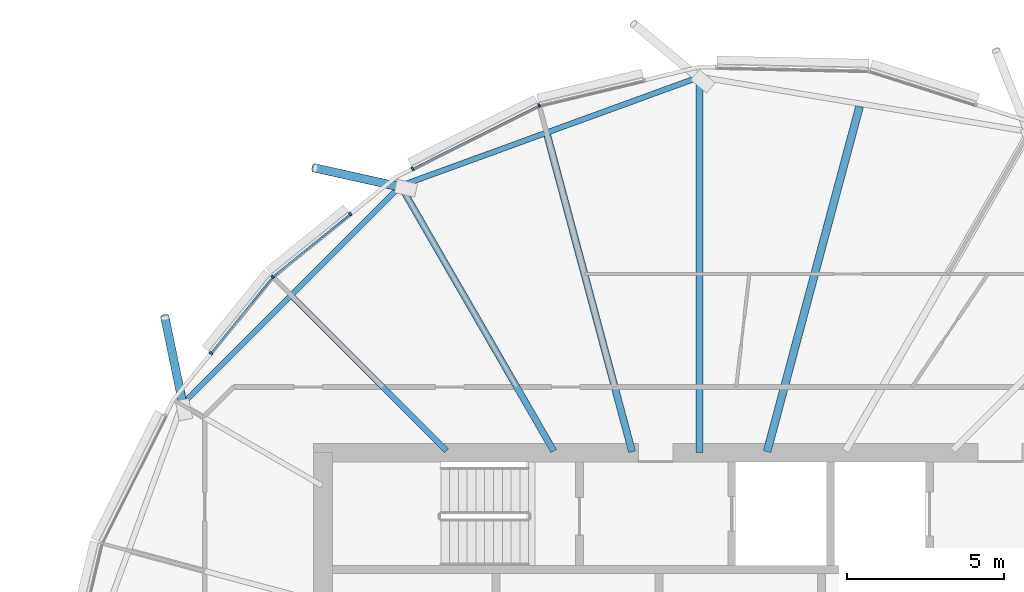
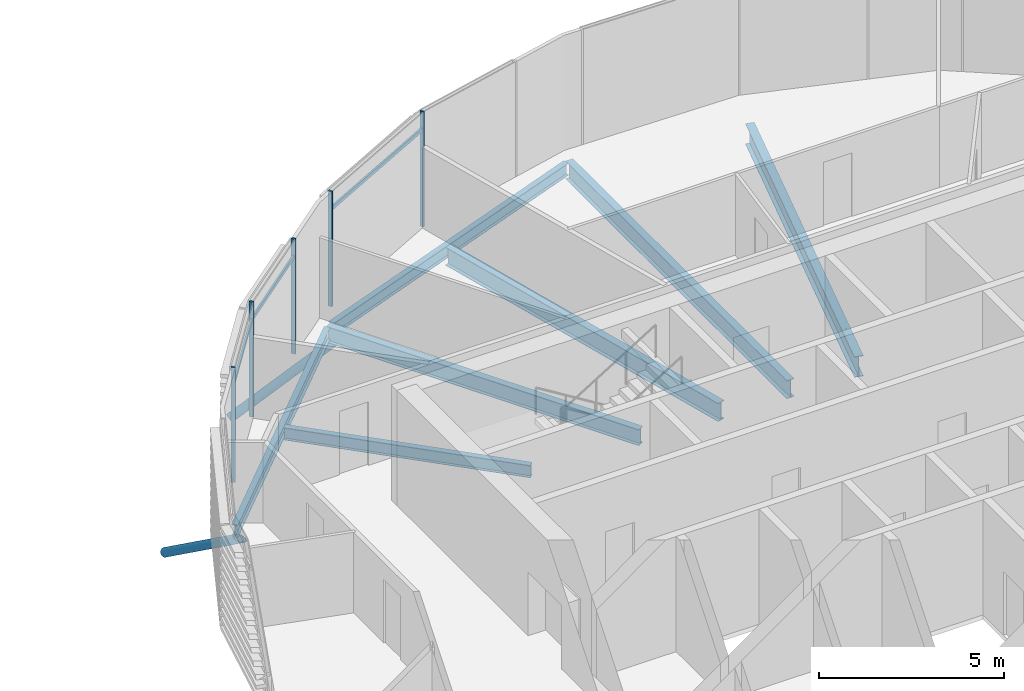
# One storey, part 15 of 36: 10 members, 7 beams, 1 element without a shape of its own.
"""IFC4 building model written with IfcOpenShell, lengths in metres."""

from ifc_helpers import new_model, si_unit, direction, frame, origin, origin_2d, place, context, subcontext, project, spatial, rectangle, hollow_circle, i_section, extrude, clip, halfspace, material, material_profile, profile_set, type_object, element, aggregate, save


model = new_model("IFC4")

# Units and contexts
model_context = context("Model", 3, precision=1e-05, world=origin(), true_north=direction((0.0, 1.0)))
body_context = subcontext(model_context, "Body", "Model", "MODEL_VIEW")
ifc_project = project(units=[si_unit("LENGTHUNIT", "METRE"), si_unit("AREAUNIT", "SQUARE_METRE"), si_unit("VOLUMEUNIT", "CUBIC_METRE"), si_unit("PLANEANGLEUNIT", "RADIAN"), si_unit("MASSUNIT", "GRAM", prefix="KILO")], contexts=[model_context])

# Site, building, storey
site_placement = place(None, origin())
site = spatial("IfcSite", under=ifc_project, at=site_placement, CompositionType="ELEMENT")
building_placement = place(site_placement, origin())
building = spatial("IfcBuilding", under=site, at=building_placement, Name="Rimbun Link Towers", CompositionType="ELEMENT")
storey_placement = place(building_placement, frame((0.0, 0.0, 200.699951171875)))
storey = spatial("IfcBuildingStorey", under=building, at=storey_placement, Name="L49", CompositionType="ELEMENT", Elevation=200.699951171875)

# Curtain wall, members
ifc_material_1 = material(Name="Aluminium 6063-T6 and low-iron glass", Category="aluminium")
curtain_wall_type = type_object("IfcCurtainWallType", Name="CW1-Z3 unitised vision wall (zone 3)", PredefinedType="NOTDEFINED", material=ifc_material_1)
curtain_wall_placement = place(storey_placement, origin())
curtain_wall = element("IfcCurtainWall", 1, at=curtain_wall_placement, inside=storey, type_object=curtain_wall_type, Name="CW1 L49 T2", PredefinedType="NOTDEFINED")
ifc_material_2 = material(Name="Aluminium 6063-T6", Category="aluminium")
ifc_material_profile_1 = material_profile(ifc_material_2, rectangle(XDim=0.1201171875, YDim=0.06005859375, at=origin_2d()), Name="MULLION 60X120")
ifc_profile_set_1 = profile_set([ifc_material_profile_1], Name="Aluminium 6063-T6")
member_type_1 = type_object("IfcMemberType", Name="CW1 mullion 60X120", PredefinedType="MULLION", material=ifc_profile_set_1)
member_1_placement = place(storey_placement, frame((26.634033203125, 19.07275390625, 0.0), z_axis=(0.0, 0.0, 1.0), x_axis=(-0.342971734757, 0.939345723979, 0.0)))
member_1 = element("IfcMember", 2, at=member_1_placement, type_object=member_type_1, Name="CW1 mullion", PredefinedType="MULLION", context=body_context, shape_type="SweptSolid", body=[
    extrude(rectangle(XDim=0.1201171875, YDim=0.06005859375, at=origin_2d()), origin(), (0.0, 0.0, 1.0), 3.800048828125),
])
member_2_placement = place(storey_placement, frame((22.6025390625, 17.048583984375, 0.0), z_axis=(0.0, 0.0, 1.0), x_axis=(-0.448772432233, 0.893646073156, 0.0)))
member_2 = element("IfcMember", 3, at=member_2_placement, type_object=member_type_1, Name="CW1 mullion", PredefinedType="MULLION", context=body_context, shape_type="SweptSolid", body=[
    extrude(rectangle(XDim=0.1201171875, YDim=0.06005859375, at=origin_2d()), origin(), (0.0, 0.0, 1.0), 3.800048828125),
])
member_3_placement = place(storey_placement, frame((18.14404296875, 13.60595703125, 0.0), z_axis=(0.0, 0.0, 1.0), x_axis=(-0.707106781187, 0.707106781187, 0.0)))
member_3 = element("IfcMember", 4, at=member_3_placement, type_object=member_type_1, Name="CW1 mullion", PredefinedType="MULLION", context=body_context, shape_type="SweptSolid", body=[
    extrude(rectangle(XDim=0.1201171875, YDim=0.06005859375, at=origin_2d()), origin(), (0.0, 0.0, 1.0), 3.800048828125),
])
member_4_placement = place(storey_placement, frame((20.61767578125, 15.6083984375, 0.0), z_axis=(0.0, 0.0, 1.0), x_axis=(-0.629156447139, 0.777278691991, 0.0)))
member_4 = element("IfcMember", 5, at=member_4_placement, type_object=member_type_1, Name="CW1 mullion", PredefinedType="MULLION", context=body_context, shape_type="SweptSolid", body=[
    extrude(rectangle(XDim=0.1201171875, YDim=0.06005859375, at=origin_2d()), origin(), (0.0, 0.0, 1.0), 3.800048828125),
])
member_5_placement = place(storey_placement, frame((16.1728515625, 11.17138671875, 0.0), z_axis=(0.0, 0.0, 1.0), x_axis=(-0.777278691991, 0.629156447139, 0.0)))
member_5 = element("IfcMember", 6, at=member_5_placement, type_object=member_type_1, Name="CW1 mullion", PredefinedType="MULLION", context=body_context, shape_type="SweptSolid", body=[
    extrude(rectangle(XDim=0.1201171875, YDim=0.06005859375, at=origin_2d()), origin(), (0.0, 0.0, 1.0), 3.800048828125),
])
ifc_material_3 = material(Name="Aluminium 6063-T6", Category="aluminium")
ifc_material_profile_2 = material_profile(ifc_material_3, rectangle(XDim=0.06005859375, YDim=0.1201171875, at=origin_2d()), Name="TRANSOM 60X120")
ifc_profile_set_2 = profile_set([ifc_material_profile_2], Name="Aluminium 6063-T6")
member_type_2 = type_object("IfcMemberType", Name="CW1 transom 60X120", PredefinedType="USERDEFINED", material=ifc_profile_set_2)
member_6_placement = place(storey_placement, frame((22.63037109375, 17.060302734375, 3.199951171875), z_axis=(0.893645737458, 0.448773100713, 0.0), x_axis=(-0.448773100713, 0.893645737458, 0.0)))
member_6 = element("IfcMember", 7, at=member_6_placement, type_object=member_type_2, Name="CW1 transom", ObjectType="TRANSOM", PredefinedType="USERDEFINED", context=body_context, shape_type="SweptSolid", body=[
    extrude(rectangle(XDim=0.06005859375, YDim=0.1201171875, at=origin_2d()), origin(), (0.0, 0.0, 1.0), 4.444091796875),
])
member_7_placement = place(storey_placement, frame((18.17333984375, 13.62744140625, 3.199951171875), z_axis=(0.777255817356, 0.629184706097, 0.0), x_axis=(-0.629184706097, 0.777255817356, 0.0)))
member_7 = element("IfcMember", 8, at=member_7_placement, type_object=member_type_2, Name="CW1 transom", ObjectType="TRANSOM", PredefinedType="USERDEFINED", context=body_context, shape_type="SweptSolid", body=[
    extrude(rectangle(XDim=0.06005859375, YDim=0.1201171875, at=origin_2d()), origin(), (0.0, 0.0, 1.0), 3.1162109375),
])
member_8_placement = place(storey_placement, frame((16.193359375, 11.193359375, 3.199951171875), z_axis=(0.629170742424, 0.777267120672, 0.0), x_axis=(-0.777267120672, 0.629170742424, 0.0)))
member_8 = element("IfcMember", 9, at=member_8_placement, type_object=member_type_2, Name="CW1 transom", ObjectType="TRANSOM", PredefinedType="USERDEFINED", context=body_context, shape_type="SweptSolid", body=[
    extrude(rectangle(XDim=0.06005859375, YDim=0.1201171875, at=origin_2d()), origin(), (0.0, 0.0, 1.0), 3.066162109375),
])
aggregate(curtain_wall, [member_1, member_2, member_3, member_4, member_5, member_6, member_7, member_8])

# Members
ifc_material_4 = material(Name="Steel S355J2H", Category="steel")
ifc_material_profile_3 = material_profile(ifc_material_4, hollow_circle(Radius=0.136474609375, WallThickness=0.012451171875, at=origin_2d()), Name="CHS 273x12.5")
ifc_profile_set_3 = profile_set([ifc_material_profile_3], Name="Steel S355J2H")
member_type_3 = type_object("IfcMemberType", Name="Floor edge link CHS 273x12.5", PredefinedType="BRACE", material=ifc_profile_set_3)
member_9_placement = place(storey_placement, frame((22.244873046875, 16.46337890625, -0.7978515625), z_axis=(-0.820392041897, 0.182029211509, -0.542053746182), x_axis=(-0.216612780531, -0.976257600898, 0.0)))
element("IfcMember", 10, at=member_9_placement, inside=storey, type_object=member_type_3, Name="Floor edge link T2 L49 05", PredefinedType="BRACE", context=body_context, shape_type="Clipping", body=[
    clip(extrude(hollow_circle(Radius=0.136474609375, WallThickness=0.012451171875, at=origin_2d()), frame((0.0, 0.0, -0.441650390625)), (0.0, 0.0, 1.0), 3.8310546875), halfspace(frame((0.0, 0.0, -0.2080078125), z_axis=(0.0, 0.84034382026, -0.542053746182)), False)),
])
member_10_placement = place(storey_placement, frame((15.28662109375, 9.505126953125, -0.566650390625), z_axis=(-0.168010245387, 0.811722287394, -0.559356313626), x_axis=(-0.979244211631, -0.202683926319, 0.0)))
element("IfcMember", 11, at=member_10_placement, inside=storey, type_object=member_type_3, Name="Floor edge link T2 L49 07", PredefinedType="BRACE", context=body_context, shape_type="Clipping", body=[
    clip(extrude(hollow_circle(Radius=0.136474609375, WallThickness=0.012451171875, at=origin_2d()), frame((0.0, 0.0, -0.42236328125)), (0.0, 0.0, 1.0), 3.904052734375), halfspace(frame((0.0, 0.0, -0.198974609375), z_axis=(0.0, 0.828927327578, -0.559356313626)), False)),
])

# Beams
ifc_material_5 = material(Name="Steel S355J2", Category="steel")
ifc_material_profile_4 = material_profile(ifc_material_5, i_section(OverallWidth=0.177978515625, OverallDepth=0.406494140625, WebThickness=0.0078125, FlangeThickness=0.0126953125, at=origin_2d()), Name="UB 406x178x60")
ifc_profile_set_4 = profile_set([ifc_material_profile_4], Name="Steel S355J2")
beam_type_1 = type_object("IfcBeamType", Name="UB 406x178x60", PredefinedType="BEAM", material=ifc_profile_set_4)
beam_1_placement = place(storey_placement, frame((23.686279296875, 8.063720703125, -0.353271484375), z_axis=(-0.707106781187, 0.707106781187, 0.0), x_axis=(-0.707106781187, -0.707106781187, 0.0)))
element("IfcBeam", 12, at=beam_1_placement, inside=storey, type_object=beam_type_1, Name="Radial beam T2 L49 06", PredefinedType="BEAM", context=body_context, shape_type="SweptSolid", body=[
    extrude(i_section(OverallWidth=0.177978515625, OverallDepth=0.406494140625, WebThickness=0.0078125, FlangeThickness=0.0126953125, at=origin_2d()), origin(), (0.0, 0.0, 1.0), 6.9169921875),
])
beam_2_placement = place(storey_placement, frame((31.63525390625, 19.936279296875, -0.353271484375), z_axis=(-0.939599125816, -0.342276909483, 0.0), x_axis=(0.342276909483, -0.939599125816, 0.0)))
element("IfcBeam", 13, at=beam_2_placement, inside=storey, type_object=beam_type_1, Name="Edge beam T2 L49 03-05", PredefinedType="BEAM", context=body_context, shape_type="SweptSolid", body=[
    extrude(i_section(OverallWidth=0.177978515625, OverallDepth=0.406494140625, WebThickness=0.0078125, FlangeThickness=0.0126953125, at=origin_2d()), origin(), (0.0, 0.0, 1.0), 9.913330078125),
])
beam_3_placement = place(storey_placement, frame((22.142578125, 16.42919921875, -0.353271484375), z_axis=(-0.707119404149, -0.707094157999, 0.0), x_axis=(0.707094157999, -0.707119404149, 0.0)))
element("IfcBeam", 14, at=beam_3_placement, inside=storey, type_object=beam_type_1, Name="Edge beam T2 L49 05-07", PredefinedType="BEAM", context=body_context, shape_type="SweptSolid", body=[
    extrude(i_section(OverallWidth=0.177978515625, OverallDepth=0.406494140625, WebThickness=0.0078125, FlangeThickness=0.0126953125, at=origin_2d()), origin(), (0.0, 0.0, 1.0), 9.67041015625),
])
ifc_material_6 = material(Name="Steel S355J2", Category="steel")
ifc_material_profile_5 = material_profile(ifc_material_6, i_section(OverallWidth=0.209228515625, OverallDepth=0.533203125, WebThickness=0.010009765625, FlangeThickness=0.015625, at=origin_2d()), Name="UB 533x210x92")
ifc_profile_set_5 = profile_set([ifc_material_profile_5], Name="Steel S355J2")
beam_type_2 = type_object("IfcBeamType", Name="UB 533x210x92", PredefinedType="BEAM", material=ifc_profile_set_5)
beam_4_placement = place(storey_placement, frame((27.1005859375, 8.05322265625, -0.41650390625), z_axis=(-0.500004632045, 0.866022729456, 0.0), x_axis=(-0.866022729456, -0.500004632045, 0.0)))
element("IfcBeam", 15, at=beam_4_placement, inside=storey, type_object=beam_type_2, Name="Radial beam T2 L49 05", PredefinedType="BEAM", context=body_context, shape_type="SweptSolid", body=[
    extrude(i_section(OverallWidth=0.209228515625, OverallDepth=0.533203125, WebThickness=0.010009765625, FlangeThickness=0.015625, at=origin_2d()), origin(), (0.0, 0.0, 1.0), 9.76123046875),
])
ifc_material_7 = material(Name="Steel S355J2", Category="steel")
ifc_material_profile_6 = material_profile(ifc_material_7, i_section(OverallWidth=0.2275390625, OverallDepth=0.6025390625, WebThickness=0.010498046875, FlangeThickness=0.014892578125, at=origin_2d()), Name="UB 610x229x101")
ifc_profile_set_6 = profile_set([ifc_material_profile_6], Name="Steel S355J2")
beam_type_3 = type_object("IfcBeamType", Name="UB 610x229x101", PredefinedType="BEAM", material=ifc_profile_set_6)
beam_5_placement = place(storey_placement, frame((31.75, 8.0009765625, -0.451171875), z_axis=(0.0, 1.0, 0.0), x_axis=(-1.0, 0.0, 0.0)))
element("IfcBeam", 16, at=beam_5_placement, inside=storey, type_object=beam_type_3, Name="Radial beam T2 L49 03", PredefinedType="BEAM", context=body_context, shape_type="SweptSolid", body=[
    extrude(i_section(OverallWidth=0.2275390625, OverallDepth=0.6025390625, WebThickness=0.010498046875, FlangeThickness=0.014892578125, at=origin_2d()), origin(), (0.0, 0.0, 1.0), 11.97705078125),
])
beam_6_placement = place(storey_placement, frame((29.598388671875, 8.030517578125, -0.451171875), z_axis=(-0.258838562818, 0.965920596322, 0.0), x_axis=(-0.965920596322, -0.258838562818, 0.0)))
element("IfcBeam", 17, at=beam_6_placement, inside=storey, type_object=beam_type_3, Name="Radial beam T2 L49 04", PredefinedType="BEAM", context=body_context, shape_type="SweptSolid", body=[
    extrude(i_section(OverallWidth=0.2275390625, OverallDepth=0.6025390625, WebThickness=0.010498046875, FlangeThickness=0.014892578125, at=origin_2d()), origin(), (0.0, 0.0, 1.0), 10.439453125),
])
ifc_material_8 = material(Name="Steel S355J2", Category="steel")
ifc_material_profile_7 = material_profile(ifc_material_8, i_section(OverallWidth=0.253662109375, OverallDepth=0.68359375, WebThickness=0.012451171875, FlangeThickness=0.01904296875, at=origin_2d()), Name="UB 686x254x140")
ifc_profile_set_7 = profile_set([ifc_material_profile_7], Name="Steel S355J2")
beam_type_4 = type_object("IfcBeamType", Name="UB 686x254x140", PredefinedType="BEAM", material=ifc_profile_set_7)
beam_7_placement = place(storey_placement, frame((33.902587890625, 8.03369140625, -0.49169921875), z_axis=(0.258828204443, 0.965923372005, 0.0), x_axis=(-0.965923372005, 0.258828204443, 0.0)))
element("IfcBeam", 18, at=beam_7_placement, inside=storey, type_object=beam_type_4, Name="Radial beam T2 L49 02", PredefinedType="BEAM", context=body_context, shape_type="SweptSolid", body=[
    extrude(i_section(OverallWidth=0.253662109375, OverallDepth=0.68359375, WebThickness=0.012451171875, FlangeThickness=0.01904296875, at=origin_2d()), origin(), (0.0, 0.0, 1.0), 11.392578125),
])

save(model, "model.ifc")
